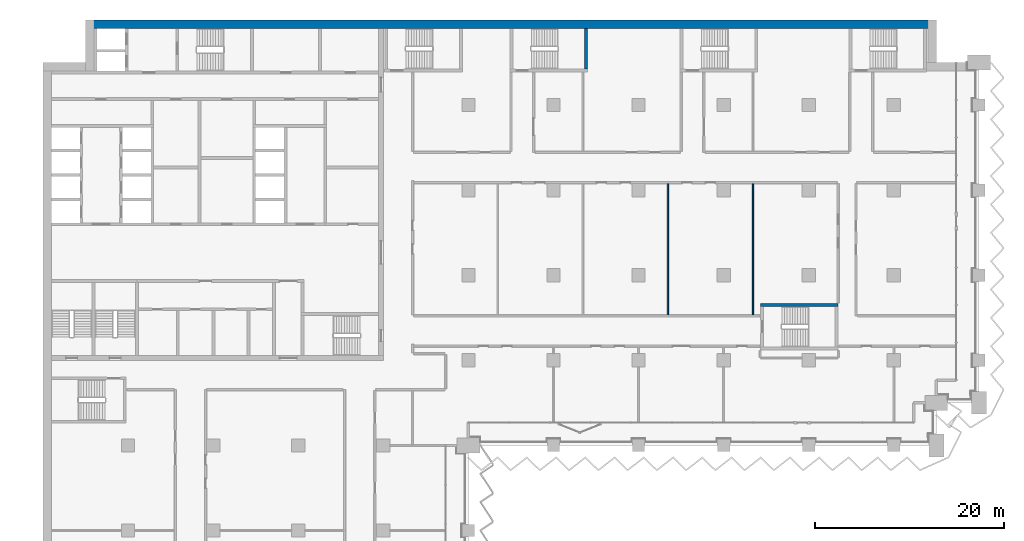
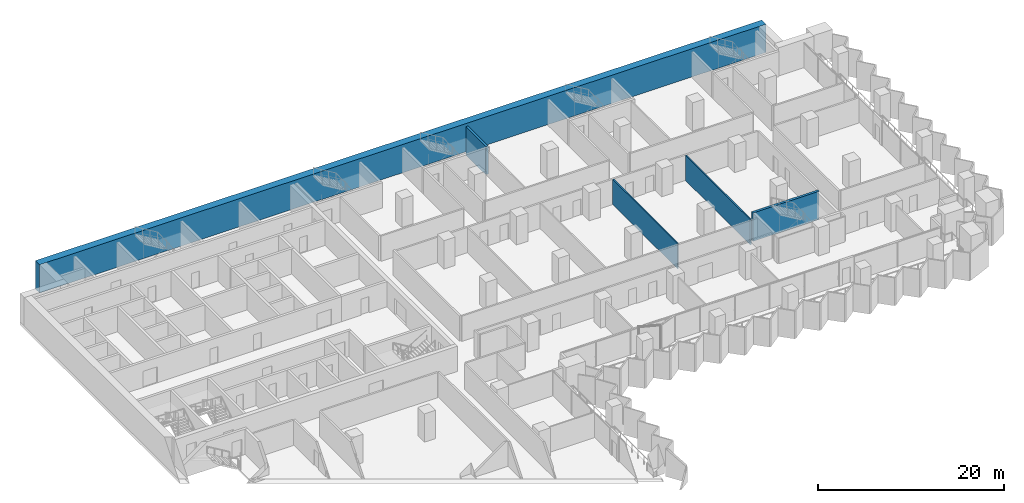
# One storey, part 17 of 28: 5 walls.
"""IFC4 building model written with IfcOpenShell, lengths in metres."""

from ifc_helpers import new_model, si_unit, direction, frame, frame_2d, origin, place, context, subcontext, project, spatial, rectangle, extrude, material, layer, layer_set, type_object, element, save


model = new_model("IFC4")

# Units and contexts
model_context = context("Model", 3, precision=1e-05, world=origin(), true_north=direction((0.0, 1.0)))
body_context = subcontext(model_context, "Body", "Model", "MODEL_VIEW")
ifc_project = project(units=[si_unit("LENGTHUNIT", "METRE"), si_unit("AREAUNIT", "SQUARE_METRE"), si_unit("VOLUMEUNIT", "CUBIC_METRE"), si_unit("PLANEANGLEUNIT", "RADIAN"), si_unit("MASSUNIT", "GRAM", prefix="KILO")], contexts=[model_context])

# Site, building, storey
site_placement = place(None, origin())
site = spatial("IfcSite", under=ifc_project, at=site_placement, CompositionType="ELEMENT")
building_placement = place(site_placement, origin())
building = spatial("IfcBuilding", under=site, at=building_placement, Name="Hunhe Ridgeline Campus", CompositionType="ELEMENT")
storey_placement = place(building_placement, frame((0.0, 0.0, 35.800048828125)))
storey = spatial("IfcBuildingStorey", under=building, at=storey_placement, Name="L07", CompositionType="ELEMENT", Elevation=35.800048828125)

# Walls
ifc_material_1 = material(Name="Gypsum board partition")
ifc_layer_1 = layer(ifc_material_1, 0.14990234375)
ifc_layer_set_1 = layer_set([ifc_layer_1], Name="Room partition 150 gypsum board on steel studs")
wall_type_1 = type_object("IfcWallType", Name="Room partition 150 gypsum board on steel studs", PredefinedType="PARTITIONING", material=ifc_layer_set_1)
for number, where, z_axis, x_axis, name in (
    (1, (66.10009765625, 81.699951171875, 0.0), (0.0, 0.0, 1.0), (0.0, -1.0, 0.0), "F-L07-wall-067"),
    (2, (75.10009765625, 81.699951171875, 0.0), (0.0, 0.0, 1.0), (0.0, -1.0, 0.0), "F-L07-wall-072"),
):
    element("IfcWall", number, at=place(storey_placement, frame(where, z_axis=z_axis, x_axis=x_axis)), inside=storey, type_object=wall_type_1, Name=name, PredefinedType="PARTITIONING", context=body_context, shape_type="SweptSolid", body=[
        extrude(rectangle(XDim=13.89990234375, YDim=0.14990234375, at=frame_2d((6.949951171875, 0.0))), origin(), (0.0, 0.0, 1.0), 3.300048828125),
    ])
ifc_material_2 = material(Name="Concrete C80", Category="concrete")
ifc_layer_2 = layer(ifc_material_2, 0.89990234375)
ifc_layer_set_2 = layer_set([ifc_layer_2], Name="Spine wall 900 Concrete C80")
wall_type_2 = type_object("IfcWallType", Name="Spine wall 900 Concrete C80", PredefinedType="SHEAR", material=ifc_layer_set_2)
wall_1_placement = place(storey_placement, frame((94.5, 98.550048828125, 0.0), z_axis=(0.0, 0.0, 1.0), x_axis=(-1.0, 0.0, 0.0)))
element("IfcWall", 3, at=wall_1_placement, inside=storey, type_object=wall_type_2, Name="Spine wall SW1-4 L07", PredefinedType="SHEAR", context=body_context, shape_type="SweptSolid", body=[
    extrude(rectangle(XDim=90.0, YDim=0.89990234375, at=frame_2d((45.0, 0.0))), origin(), (0.0, 0.0, 1.0), 3.699951171875),
])
ifc_layer_3 = layer(ifc_material_2, 0.300048828125)
ifc_layer_set_3 = layer_set([ifc_layer_3], Name="Stair wall 300 reinforced concrete C80")
wall_type_3 = type_object("IfcWallType", Name="Stair wall 300 reinforced concrete C80", PredefinedType="SOLIDWALL", material=ifc_layer_set_3)
wall_2_placement = place(storey_placement, frame((75.89990234375, 68.85009765625, -0.400146484375), z_axis=(0.0, 0.0, 1.0), x_axis=(1.0, 0.0, 0.0)))
element("IfcWall", 4, at=wall_2_placement, inside=storey, type_object=wall_type_3, Name="L07 core wall 11", PredefinedType="SOLIDWALL", context=body_context, shape_type="SweptSolid", body=[
    extrude(rectangle(XDim=8.2001953125, YDim=0.300048828125, at=frame_2d((4.10009765625, 0.0))), origin(), (0.0, 0.0, 1.0), 3.7001953125),
])
wall_3_placement = place(storey_placement, frame((57.449951171875, 93.800048828125, -0.400146484375), z_axis=(0.0, 0.0, 1.0), x_axis=(0.0, 1.0, 0.0)))
element("IfcWall", 5, at=wall_3_placement, inside=storey, type_object=wall_type_3, Name="L07 core wall 68", PredefinedType="SOLIDWALL", context=body_context, shape_type="SweptSolid", body=[
    extrude(rectangle(XDim=4.300048828125, YDim=0.300048828125, at=frame_2d((2.14990234375, 0.0))), origin(), (0.0, 0.0, 1.0), 3.7001953125),
])

save(model, "model.ifc")
